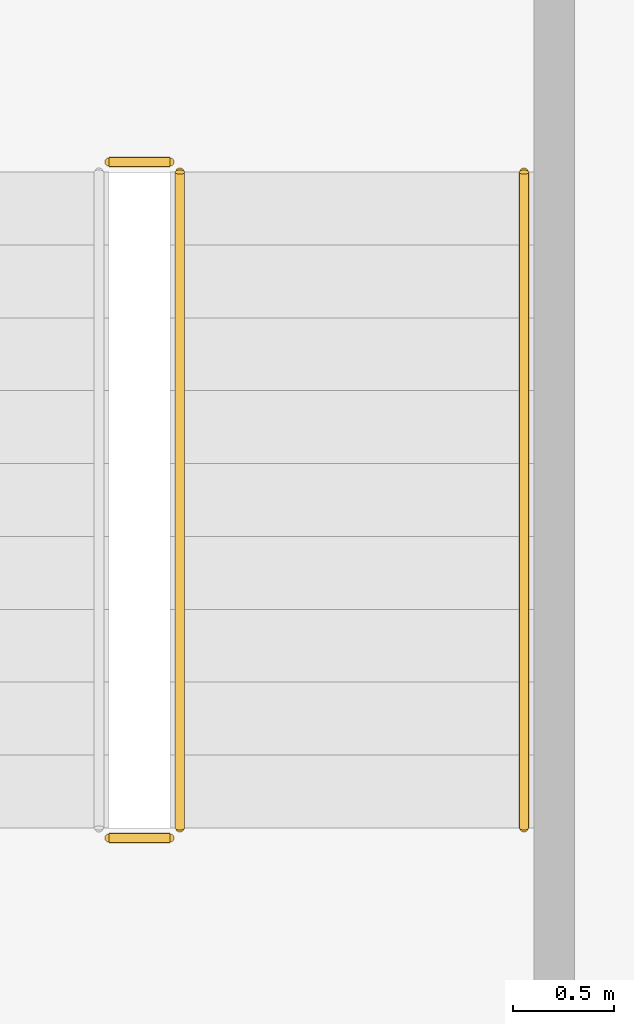
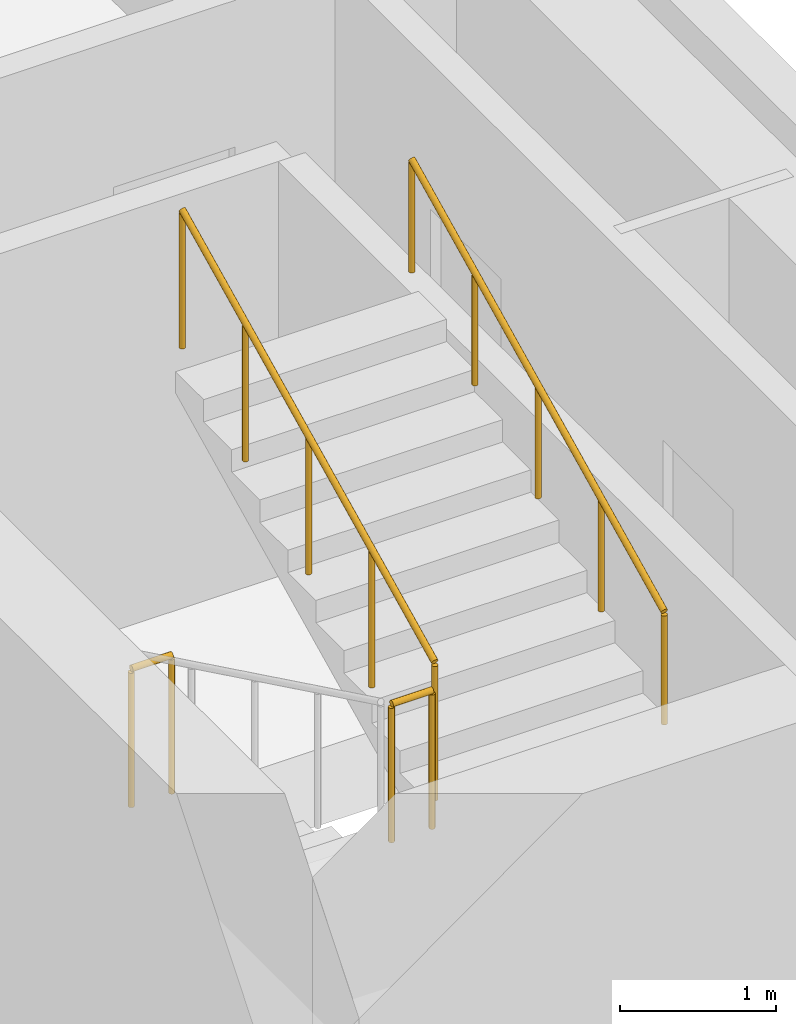
# One storey, part 20 of 22: 4 railings.
"""IFC4 building model written with IfcOpenShell, lengths in metres."""

from ifc_helpers import new_model, si_unit, direction, frame, origin, origin_2d, place, context, subcontext, project, spatial, circle, extrude, material, type_object, element, save


model = new_model("IFC4")

# Units and contexts
model_context = context("Model", 3, precision=1e-05, world=origin(), true_north=direction((0.0, 1.0)))
body_context = subcontext(model_context, "Body", "Model", "MODEL_VIEW")
ifc_project = project(units=[si_unit("LENGTHUNIT", "METRE"), si_unit("AREAUNIT", "SQUARE_METRE"), si_unit("VOLUMEUNIT", "CUBIC_METRE"), si_unit("PLANEANGLEUNIT", "RADIAN"), si_unit("MASSUNIT", "GRAM", prefix="KILO")], contexts=[model_context])

# Site, building, storey
site_placement = place(None, origin())
site = spatial("IfcSite", under=ifc_project, at=site_placement, CompositionType="ELEMENT")
building_placement = place(site_placement, origin())
building = spatial("IfcBuilding", under=site, at=building_placement, Name="Cobrizo Arcos Hotel Tower", CompositionType="ELEMENT")
storey_placement = place(building_placement, frame((0.0, 0.0, 89.0)))
storey = spatial("IfcBuildingStorey", under=building, at=storey_placement, Name="L21", CompositionType="ELEMENT", Elevation=89.0)

# Railings
ifc_material = material(Name="Stainless steel railing", Category="steel")
railing_type_1 = type_object("IfcRailingType", Name="Stair guard 1100", PredefinedType="GUARDRAIL", material=ifc_material)
railing_1_placement = place(storey_placement, frame((17.800048828125, -8.7900390625, 1.75)))
element("IfcRailing", 1, at=railing_1_placement, inside=storey, type_object=railing_type_1, Name="L21 ST-E stair guard 2", PredefinedType="GUARDRAIL", context=body_context, shape_type="SweptSolid", body=[
    extrude(circle(Radius=0.02392578125, at=origin_2d()), frame((0.0, 0.0, 1.076171875), z_axis=(1.0, 0.0, 0.0), x_axis=(0.0, 1.0, 0.0)), (0.0, 0.0, 1.0), 0.300048828125),
    extrude(circle(Radius=0.02099609375, at=origin_2d()), origin(), (0.0, 0.0, 1.0), 1.052001953125),
    extrude(circle(Radius=0.02099609375, at=origin_2d()), frame((0.300048828125, 0.0, 0.0)), (0.0, 0.0, 1.0), 1.052001953125),
])
railing_2_placement = place(storey_placement, frame((18.14990234375, -8.739990234375, 1.925048828125)))
element("IfcRailing", 2, at=railing_2_placement, inside=storey, type_object=railing_type_1, Name="L21 ST-E stair guard 3", PredefinedType="GUARDRAIL", context=body_context, shape_type="SweptSolid", body=[
    extrude(circle(Radius=0.02392578125, at=origin_2d()), frame((0.0, 0.0, 1.076171875), z_axis=(0.0, 0.899372665325, 0.437182809435), x_axis=(-1.0, 0.0, 0.0)), (0.0, 0.0, 1.0), 3.6025390625),
    extrude(circle(Radius=0.02099609375, at=origin_2d()), origin(), (0.0, 0.0, 1.0), 1.052001953125),
    extrude(circle(Radius=0.02099609375, at=origin_2d()), frame((0.0, 0.81005859375, 0.393798828125)), (0.0, 0.0, 1.0), 1.052001953125),
    extrude(circle(Radius=0.02099609375, at=origin_2d()), frame((0.0, 1.6201171875, 0.78759765625)), (0.0, 0.0, 1.0), 1.052001953125),
    extrude(circle(Radius=0.02099609375, at=origin_2d()), frame((0.0, 2.429931640625, 1.18115234375)), (0.0, 0.0, 1.0), 1.052001953125),
    extrude(circle(Radius=0.02099609375, at=origin_2d()), frame((0.0, 3.239990234375, 1.574951171875)), (0.0, 0.0, 1.0), 1.052001953125),
])
railing_3_placement = place(storey_placement, frame((17.800048828125, -5.449951171875, 0.0)))
element("IfcRailing", 3, at=railing_3_placement, inside=storey, type_object=railing_type_1, Name="L21 ST-E stair guard 4", PredefinedType="GUARDRAIL", context=body_context, shape_type="SweptSolid", body=[
    extrude(circle(Radius=0.02392578125, at=origin_2d()), frame((0.0, 0.0, 1.076171875), z_axis=(1.0, 0.0, 0.0), x_axis=(0.0, 1.0, 0.0)), (0.0, 0.0, 1.0), 0.300048828125),
    extrude(circle(Radius=0.02099609375, at=origin_2d()), origin(), (0.0, 0.0, 1.0), 1.052001953125),
    extrude(circle(Radius=0.02099609375, at=origin_2d()), frame((0.300048828125, 0.0, 0.0)), (0.0, 0.0, 1.0), 1.052001953125),
])
railing_type_2 = type_object("IfcRailingType", Name="Stair handrail", PredefinedType="HANDRAIL", material=ifc_material)
railing_4_placement = place(storey_placement, frame((19.85009765625, -8.739990234375, 1.925048828125)))
element("IfcRailing", 4, at=railing_4_placement, inside=storey, type_object=railing_type_2, Name="L21 ST-E stair handrail 2", PredefinedType="HANDRAIL", context=body_context, shape_type="SweptSolid", body=[
    extrude(circle(Radius=0.02392578125, at=origin_2d()), frame((0.0, 0.0, 0.8759765625), z_axis=(0.0, 0.899372665325, 0.437182809435), x_axis=(-1.0, 0.0, 0.0)), (0.0, 0.0, 1.0), 3.6025390625),
    extrude(circle(Radius=0.02099609375, at=origin_2d()), origin(), (0.0, 0.0, 1.0), 0.851806640625),
    extrude(circle(Radius=0.02099609375, at=origin_2d()), frame((0.0, 0.81005859375, 0.393798828125)), (0.0, 0.0, 1.0), 0.851806640625),
    extrude(circle(Radius=0.02099609375, at=origin_2d()), frame((0.0, 1.6201171875, 0.78759765625)), (0.0, 0.0, 1.0), 0.851806640625),
    extrude(circle(Radius=0.02099609375, at=origin_2d()), frame((0.0, 2.429931640625, 1.18115234375)), (0.0, 0.0, 1.0), 0.851806640625),
    extrude(circle(Radius=0.02099609375, at=origin_2d()), frame((0.0, 3.239990234375, 1.574951171875)), (0.0, 0.0, 1.0), 0.851806640625),
])

save(model, "model.ifc")
